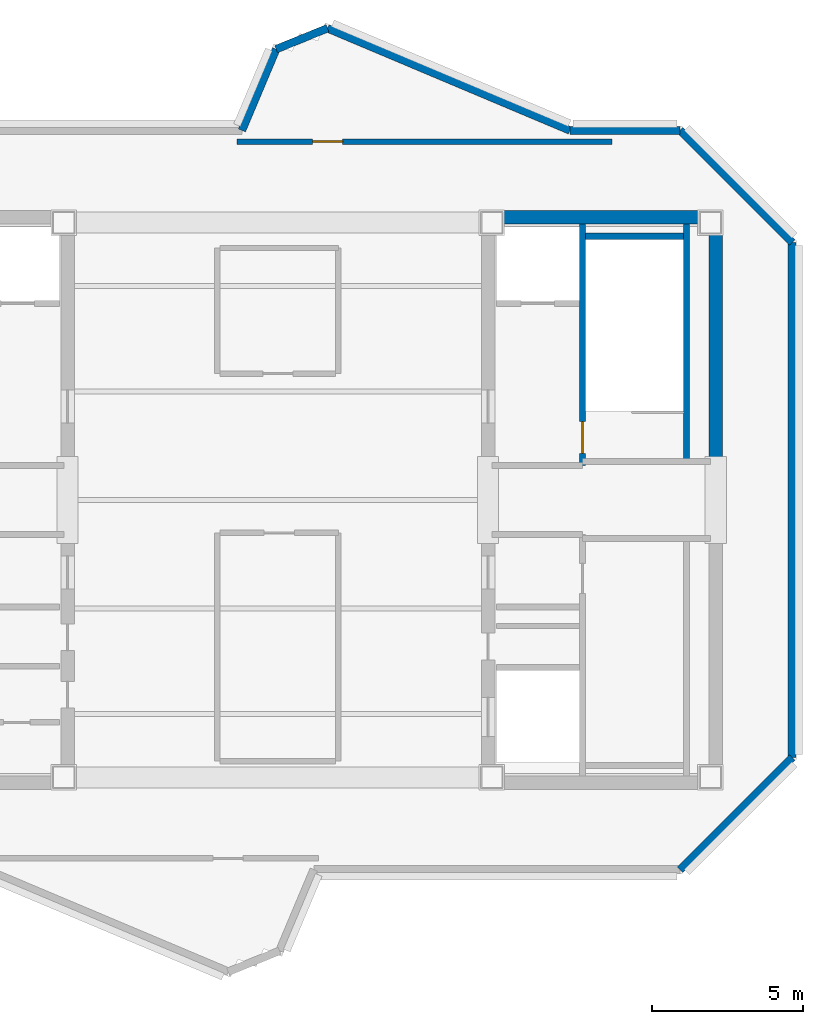
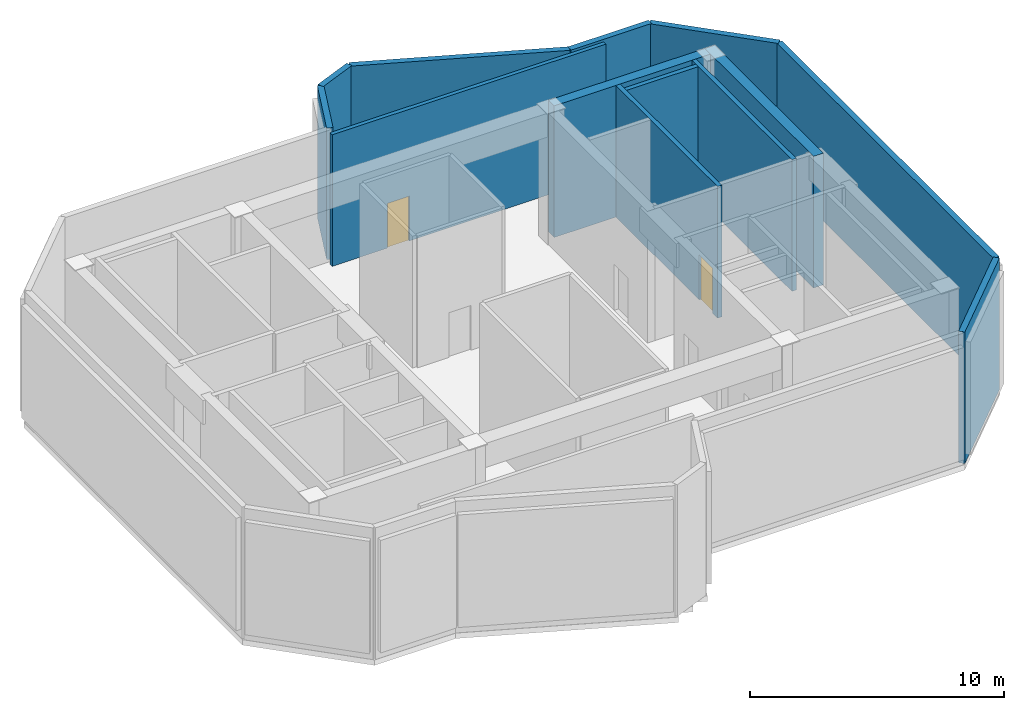
# One storey, part 3 of 4: 13 walls, 2 doors, 2 openings.
"""IFC4 building model written with IfcOpenShell, lengths in metres."""

from ifc_helpers import new_model, si_unit, direction, frame, frame_2d, origin, place, context, subcontext, project, spatial, rectangle, extrude, source, transform, mapped, material, layer, layer_set, type_object, element, fill, save


model = new_model("IFC4")

# Units and contexts
model_context = context("Model", 3, precision=1e-05, world=origin(), true_north=direction((0.0, 1.0)))
body_context = subcontext(model_context, "Body", "Model", "MODEL_VIEW")
ifc_project = project(units=[si_unit("LENGTHUNIT", "METRE"), si_unit("AREAUNIT", "SQUARE_METRE"), si_unit("VOLUMEUNIT", "CUBIC_METRE"), si_unit("PLANEANGLEUNIT", "RADIAN"), si_unit("MASSUNIT", "GRAM", prefix="KILO")], contexts=[model_context])

# Site, building, storey
site_placement = place(None, origin())
site = spatial("IfcSite", under=ifc_project, at=site_placement, CompositionType="ELEMENT")
building_placement = place(site_placement, origin())
building = spatial("IfcBuilding", under=site, at=building_placement, Name="Zahravan Cultural Tower", CompositionType="ELEMENT")
storey_placement = place(building_placement, frame((0.0, 0.0, 388.050048828125)))
storey = spatial("IfcBuildingStorey", under=building, at=storey_placement, Name="RF", CompositionType="ELEMENT", Elevation=388.050048828125)

# Wall, opening, door
ifc_material_1 = material(Name="Gypsum plasterboard partition")
ifc_layer_1 = layer(ifc_material_1, 0.179931640625)
ifc_layer_set_1 = layer_set([ifc_layer_1], Name="Gypsum plasterboard partition")
wall_type_1 = type_object("IfcWallType", Name="W-COMP-180", PredefinedType="PARTITIONING", material=ifc_layer_set_1)
wall_1_placement = place(storey_placement, frame((47.07861328125, 38.89111328125, 0.0), z_axis=(0.0, 0.0, 1.0), x_axis=(-0.999999995176, -9.8227967e-05, 0.0)))
wall_1 = element("IfcWall", 1, at=wall_1_placement, inside=storey, type_object=wall_type_1, Name="RF Interior Wall 034", PredefinedType="PARTITIONING", context=body_context, shape_type="SweptSolid", body=[
    extrude(rectangle(XDim=12.42724609375, YDim=0.179931640625, at=frame_2d((6.213623046875, 0.0))), origin(), (0.0, 0.0, 1.0), 6.320068359375),
])
opening_1_placement = place(wall_1_placement, frame((8.92724609375, 0.0, 0.0)))
opening_1 = element("IfcOpeningElement", 2, at=opening_1_placement, cuts=wall_1, Name="Opening D-RF-16", PredefinedType="OPENING", context=body_context, shape_type="SweptSolid", body=[
    extrude(rectangle(XDim=1.0, YDim=2.14990234375, at=frame_2d((0.5, 1.074951171875))), frame((0.0, 0.099853515625, 0.0), z_axis=(0.0, -1.0, 0.0), x_axis=(1.0, 0.0, 0.0)), (0.0, 0.0, 1.0), 0.199951171875),
])
ifc_material_2 = material(Name="Steel ASTM A572 Grade 50", Category="steel")
door_type_1 = type_object("IfcDoorType", Name="DR-COMP-1000", OperationType="NOTDEFINED", PredefinedType="DOOR", material=ifc_material_2)
shared_shape_1 = source(origin(), body_context, "Body", "SweptSolid", [
    extrude(rectangle(XDim=1.0, YDim=2.14990234375, at=frame_2d((0.5, 1.074951171875))), frame((0.0, 0.02490234375, 0.0), z_axis=(0.0, -1.0, 0.0), x_axis=(1.0, 0.0, 0.0)), (0.0, 0.0, 1.0), 0.050048828125),
])
door_1_placement = place(opening_1_placement, origin())
door_1 = element("IfcDoor", 3, at=door_1_placement, inside=storey, type_object=door_type_1, Name="RF Door D-RF-16", OperationType="SINGLE_SWING_RIGHT", OverallHeight=2.14990234375, OverallWidth=1.0, PredefinedType="DOOR", context=body_context, shape_type="MappedRepresentation", body=[
    mapped(shared_shape_1, transform((0.0, 0.0, 0.0), x_axis=(1.0, 0.0, 0.0), y_axis=(0.0, 1.0, 0.0), z_axis=(0.0, 0.0, 1.0), scale=1.0)),
])
fill(opening_1, door_1)

ifc_material_3 = material(Name="Concrete C45/55", Category="concrete")
ifc_layer_2 = layer(ifc_material_3, 0.199951171875)
ifc_layer_set_2 = layer_set([ifc_layer_2], Name="Concrete C45/55")
wall_type_2 = type_object("IfcWallType", Name="W-SHAFT-200", PredefinedType="SOLIDWALL", material=ifc_layer_set_2)
wall_2_placement = place(storey_placement, frame((46.10009765625, 28.14990234375, 0.0), z_axis=(0.0, 0.0, 1.0), x_axis=(0.0, 1.0, 0.0)))
wall_2 = element("IfcWall", 4, at=wall_2_placement, inside=storey, type_object=wall_type_2, Name="RF Interior Wall 008", PredefinedType="SOLIDWALL", context=body_context, shape_type="SweptSolid", body=[
    extrude(rectangle(XDim=8.0, YDim=0.199951171875, at=frame_2d((4.0, 0.0))), origin(), (0.0, 0.0, 1.0), 6.320068359375),
])
opening_2_placement = place(wall_2_placement, frame((0.39990234375, 0.0, 0.0)))
opening_2 = element("IfcOpeningElement", 5, at=opening_2_placement, cuts=wall_2, Name="Opening D-RF-02", PredefinedType="OPENING", context=body_context, shape_type="SweptSolid", body=[
    extrude(rectangle(XDim=1.050048828125, YDim=2.14990234375, at=frame_2d((0.52490234375, 1.074951171875))), frame((0.0, 0.10986328125, 0.0), z_axis=(0.0, -1.0, 0.0), x_axis=(1.0, 0.0, 0.0)), (0.0, 0.0, 1.0), 0.219970703125),
])
door_type_2 = type_object("IfcDoorType", Name="DR-STAIR-1050", OperationType="NOTDEFINED", PredefinedType="DOOR", material=ifc_material_2)
shared_shape_2 = source(origin(), body_context, "Body", "SweptSolid", [
    extrude(rectangle(XDim=1.050048828125, YDim=2.14990234375, at=frame_2d((0.52490234375, 1.074951171875))), frame((0.0, 0.02490234375, 0.0), z_axis=(0.0, -1.0, 0.0), x_axis=(1.0, 0.0, 0.0)), (0.0, 0.0, 1.0), 0.050048828125),
])
door_2_placement = place(opening_2_placement, origin())
door_2 = element("IfcDoor", 6, at=door_2_placement, inside=storey, type_object=door_type_2, Name="RF Door D-RF-02", OperationType="SINGLE_SWING_RIGHT", OverallHeight=2.14990234375, OverallWidth=1.050048828125, PredefinedType="DOOR", context=body_context, shape_type="MappedRepresentation", body=[
    mapped(shared_shape_2, transform((0.0, 0.0, 0.0), x_axis=(1.0, 0.0, 0.0), y_axis=(0.0, 1.0, 0.0), z_axis=(0.0, 0.0, 1.0), scale=1.0)),
])
fill(opening_2, door_2)

# Walls
ifc_material_4 = material(Name="Concrete C50/60", Category="concrete")
ifc_layer_3 = layer(ifc_material_4, 0.449951171875)
ifc_layer_set_3 = layer_set([ifc_layer_3], Name="Concrete C50/60")
wall_type_3 = type_object("IfcWallType", Name="CW-SHEAR-450-C50", PredefinedType="SHEAR", material=ifc_layer_set_3)
shared_shape_3 = source(origin(), body_context, "Body", "SweptSolid", [
    extrude(rectangle(XDim=8.550048828125, YDim=0.449951171875, at=frame_2d((4.27490234375, 0.0))), origin(), (0.0, 0.0, 1.0), 6.320068359375),
])
wall_3_placement = place(storey_placement, frame((50.52490234375, 28.050048828125, 0.0), z_axis=(0.0, 0.0, 1.0), x_axis=(0.0, 1.0, 0.0)))
element("IfcWall", 7, at=wall_3_placement, inside=storey, type_object=wall_type_3, Name="RF Core Shear Wall CW-E-EN-RF", PredefinedType="SHEAR", context=body_context, shape_type="MappedRepresentation", body=[
    mapped(shared_shape_3, transform((0.0, 0.0, 0.0), x_axis=(1.0, 0.0, 0.0), y_axis=(0.0, 1.0, 0.0), z_axis=(0.0, 0.0, 1.0), scale=1.0)),
])
shared_shape_4 = source(origin(), body_context, "Body", "SweptSolid", [
    extrude(rectangle(XDim=7.10009765625, YDim=0.449951171875, at=frame_2d((3.550048828125, 0.0))), origin(), (0.0, 0.0, 1.0), 6.320068359375),
])
wall_4_placement = place(storey_placement, frame((43.199951171875, 36.375, 0.0), z_axis=(0.0, 0.0, 1.0), x_axis=(1.0, 0.0, 0.0)))
element("IfcWall", 8, at=wall_4_placement, inside=storey, type_object=wall_type_3, Name="RF Core Shear Wall CW-E-N-RF", PredefinedType="SHEAR", context=body_context, shape_type="MappedRepresentation", body=[
    mapped(shared_shape_4, transform((0.0, 0.0, 0.0), x_axis=(1.0, 0.0, 0.0), y_axis=(0.0, 1.0, 0.0), z_axis=(0.0, 0.0, 1.0), scale=1.0)),
])
ifc_material_5 = material(Name="Precast concrete C40/50", Category="concrete")
ifc_layer_4 = layer(ifc_material_5, 0.260009765625)
ifc_layer_set_4 = layer_set([ifc_layer_4], Name="Precast concrete C40/50")
wall_type_4 = type_object("IfcWallType", Name="EW-CROWN-260", PredefinedType="SOLIDWALL", material=ifc_layer_set_4)
shared_shape_5 = source(origin(), body_context, "Body", "SweptSolid", [
    extrude(rectangle(XDim=2.92529296875, YDim=0.260009765625, at=frame_2d((1.462646484375, 0.0))), origin(), (0.0, 0.0, 1.0), 6.320068359375),
])
wall_5_placement = place(storey_placement, frame((34.80712890625, 39.260009765625, 0.0), z_axis=(0.0, 0.0, 1.0), x_axis=(0.388321883953, 0.921523800259, 0.0)))
element("IfcWall", 9, at=wall_5_placement, inside=storey, type_object=wall_type_4, Name="RF Crown Enclosure Wall 01", PredefinedType="SOLIDWALL", context=body_context, shape_type="MappedRepresentation", body=[
    mapped(shared_shape_5, transform((0.0, 0.0, 0.0), x_axis=(1.0, 0.0, 0.0), y_axis=(0.0, 1.0, 0.0), z_axis=(0.0, 0.0, 1.0), scale=1.0)),
])
shared_shape_6 = source(origin(), body_context, "Body", "SweptSolid", [
    extrude(rectangle(XDim=1.838623046875, YDim=0.260009765625, at=frame_2d((0.91943359375, 0.0))), origin(), (0.0, 0.0, 1.0), 6.320068359375),
])
wall_6_placement = place(storey_placement, frame((35.943115234375, 41.955810546875, 0.0), z_axis=(0.0, 0.0, 1.0), x_axis=(0.926216039781, 0.376993166586, 0.0)))
element("IfcWall", 10, at=wall_6_placement, inside=storey, type_object=wall_type_4, Name="RF Crown Enclosure Wall 02", PredefinedType="SOLIDWALL", context=body_context, shape_type="MappedRepresentation", body=[
    mapped(shared_shape_6, transform((0.0, 0.0, 0.0), x_axis=(1.0, 0.0, 0.0), y_axis=(0.0, 1.0, 0.0), z_axis=(0.0, 0.0, 1.0), scale=1.0)),
])
shared_shape_7 = source(origin(), body_context, "Body", "SweptSolid", [
    extrude(rectangle(XDim=8.72705078125, YDim=0.260009765625, at=frame_2d((4.363525390625, 0.0))), origin(), (0.0, 0.0, 1.0), 6.320068359375),
])
wall_7_placement = place(storey_placement, frame((37.64599609375, 42.64892578125, 0.0), z_axis=(0.0, 0.0, 1.0), x_axis=(0.921524227272, -0.38832087061, 0.0)))
element("IfcWall", 11, at=wall_7_placement, inside=storey, type_object=wall_type_4, Name="RF Crown Enclosure Wall 03", PredefinedType="SOLIDWALL", context=body_context, shape_type="MappedRepresentation", body=[
    mapped(shared_shape_7, transform((0.0, 0.0, 0.0), x_axis=(1.0, 0.0, 0.0), y_axis=(0.0, 1.0, 0.0), z_axis=(0.0, 0.0, 1.0), scale=1.0)),
])
shared_shape_8 = source(origin(), body_context, "Body", "SweptSolid", [
    extrude(rectangle(XDim=3.65380859375, YDim=0.260009765625, at=frame_2d((1.826904296875, 0.0))), origin(), (0.0, 0.0, 1.0), 6.320068359375),
])
wall_8_placement = place(storey_placement, frame((45.688232421875, 39.260009765625, 0.0), z_axis=(0.0, 0.0, 1.0), x_axis=(1.0, 0.0, 0.0)))
element("IfcWall", 12, at=wall_8_placement, inside=storey, type_object=wall_type_4, Name="RF Crown Enclosure Wall 04", PredefinedType="SOLIDWALL", context=body_context, shape_type="MappedRepresentation", body=[
    mapped(shared_shape_8, transform((0.0, 0.0, 0.0), x_axis=(1.0, 0.0, 0.0), y_axis=(0.0, 1.0, 0.0), z_axis=(0.0, 0.0, 1.0), scale=1.0)),
])
shared_shape_9 = source(origin(), body_context, "Body", "SweptSolid", [
    extrude(rectangle(XDim=5.258056640625, YDim=0.260009765625, at=frame_2d((2.62890625, 0.0))), origin(), (0.0, 0.0, 1.0), 6.320068359375),
])
for number, where, z_axis, x_axis, name in (
    (13, (49.342041015625, 39.260009765625, 0.0), (0.0, 0.0, 1.0), (0.707106781187, -0.707106781187, 0.0), "RF Crown Enclosure Wall 05"),
    (14, (53.06005859375, 18.4580078125, 0.0), (0.0, 0.0, 1.0), (-0.707106781187, -0.707106781187, 0.0), "RF Crown Enclosure Wall 07"),
):
    element("IfcWall", number, at=place(storey_placement, frame(where, z_axis=z_axis, x_axis=x_axis)), inside=storey, type_object=wall_type_4, Name=name, PredefinedType="SOLIDWALL", context=body_context, shape_type="MappedRepresentation", body=[
        mapped(shared_shape_9, transform((0.0, 0.0, 0.0), x_axis=(1.0, 0.0, 0.0), y_axis=(0.0, 1.0, 0.0), z_axis=(0.0, 0.0, 1.0), scale=1.0)),
    ])
shared_shape_10 = source(origin(), body_context, "Body", "SweptSolid", [
    extrude(rectangle(XDim=17.083984375, YDim=0.260009765625, at=frame_2d((8.5419921875, 0.0))), origin(), (0.0, 0.0, 1.0), 6.320068359375),
])
wall_9_placement = place(storey_placement, frame((53.06005859375, 35.5419921875, 0.0), z_axis=(0.0, 0.0, 1.0), x_axis=(0.0, -1.0, 0.0)))
element("IfcWall", 15, at=wall_9_placement, inside=storey, type_object=wall_type_4, Name="RF Crown Enclosure Wall 06", PredefinedType="SOLIDWALL", context=body_context, shape_type="MappedRepresentation", body=[
    mapped(shared_shape_10, transform((0.0, 0.0, 0.0), x_axis=(1.0, 0.0, 0.0), y_axis=(0.0, 1.0, 0.0), z_axis=(0.0, 0.0, 1.0), scale=1.0)),
])
shared_shape_11 = source(origin(), body_context, "Body", "SweptSolid", [
    extrude(rectangle(XDim=7.869873046875, YDim=0.199951171875, at=frame_2d((3.93505859375, 0.0))), origin(), (0.0, 0.0, 1.0), 6.320068359375),
])
wall_10_placement = place(storey_placement, frame((49.550048828125, 28.280029296875, 0.0), z_axis=(0.0, 0.0, 1.0), x_axis=(0.0, 1.0, 0.0)))
element("IfcWall", 16, at=wall_10_placement, inside=storey, type_object=wall_type_2, Name="RF Interior Wall 004", PredefinedType="SOLIDWALL", context=body_context, shape_type="MappedRepresentation", body=[
    mapped(shared_shape_11, transform((0.0, 0.0, 0.0), x_axis=(1.0, 0.0, 0.0), y_axis=(0.0, 1.0, 0.0), z_axis=(0.0, 0.0, 1.0), scale=1.0)),
])
shared_shape_12 = source(origin(), body_context, "Body", "SweptSolid", [
    extrude(rectangle(XDim=3.25, YDim=0.199951171875, at=frame_2d((1.625, 0.0))), origin(), (0.0, 0.0, 1.0), 6.320068359375),
])
wall_11_placement = place(storey_placement, frame((46.199951171875, 35.75, 0.0), z_axis=(0.0, 0.0, 1.0), x_axis=(1.0, 0.0, 0.0)))
element("IfcWall", 17, at=wall_11_placement, inside=storey, type_object=wall_type_2, Name="RF Interior Wall 018", PredefinedType="SOLIDWALL", context=body_context, shape_type="MappedRepresentation", body=[
    mapped(shared_shape_12, transform((0.0, 0.0, 0.0), x_axis=(1.0, 0.0, 0.0), y_axis=(0.0, 1.0, 0.0), z_axis=(0.0, 0.0, 1.0), scale=1.0)),
])

save(model, "model.ifc")
